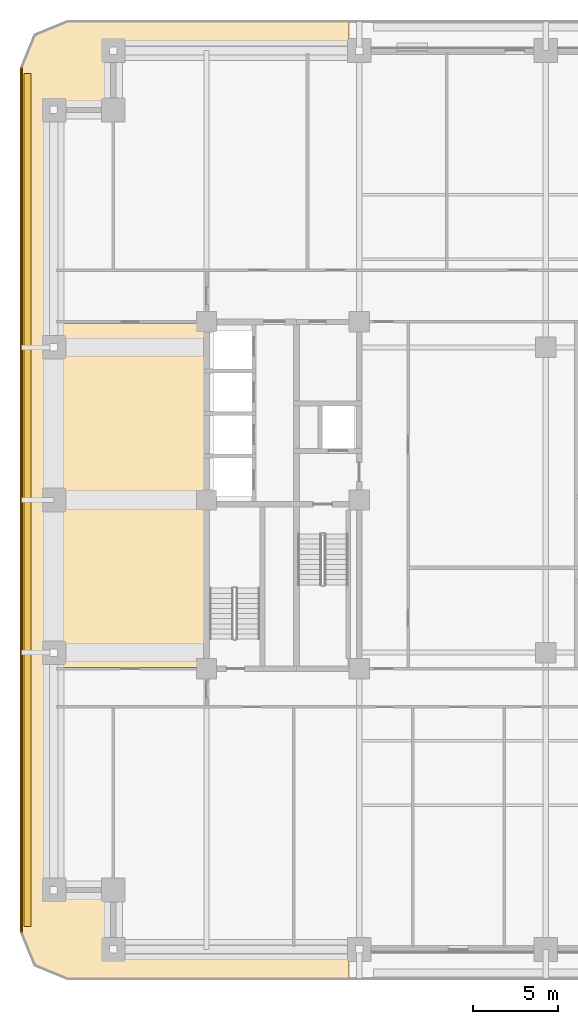
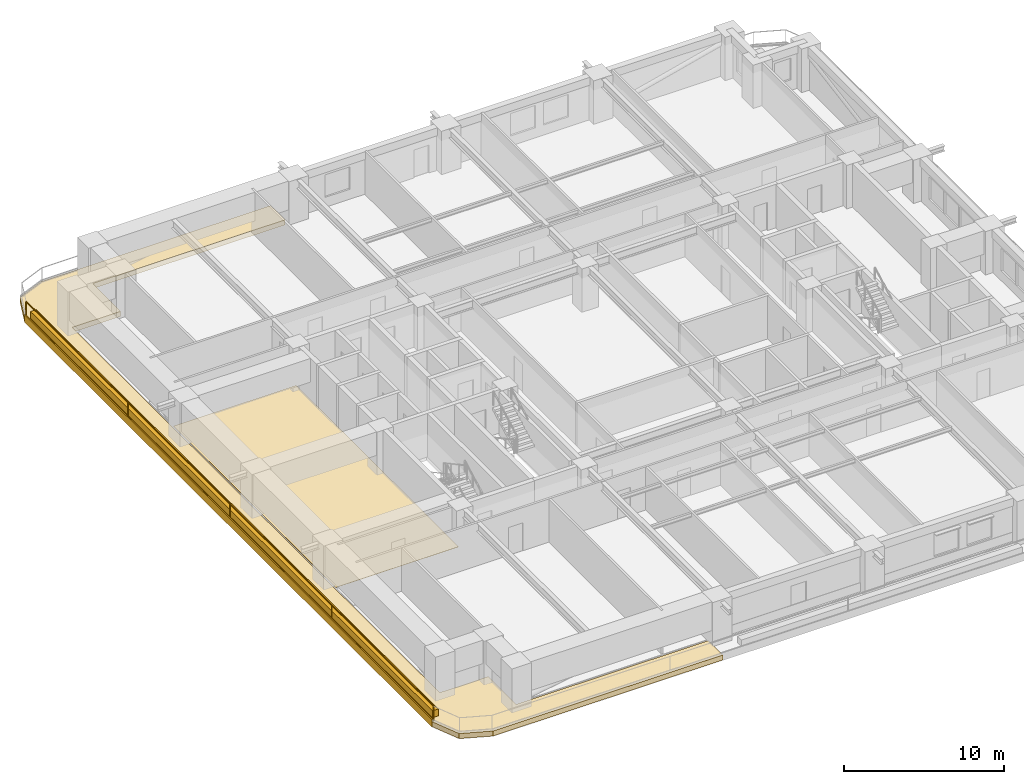
# One storey, part 9 of 14: 4 coverings, 1 railing.
"""IFC4 building model written with IfcOpenShell, lengths in metres."""

from ifc_helpers import new_model, si_unit, direction, frame, frame_2d, origin, origin_2d, place, context, subcontext, project, spatial, polyline, rectangle, outline, extrude, material, layer, layer_set, type_object, element, save


model = new_model("IFC4")

# Units and contexts
model_context = context("Model", 3, precision=1e-05, world=origin(), true_north=direction((0.0, 1.0)))
body_context = subcontext(model_context, "Body", "Model", "MODEL_VIEW")
ifc_project = project(units=[si_unit("LENGTHUNIT", "METRE"), si_unit("AREAUNIT", "SQUARE_METRE"), si_unit("VOLUMEUNIT", "CUBIC_METRE"), si_unit("PLANEANGLEUNIT", "RADIAN"), si_unit("MASSUNIT", "GRAM", prefix="KILO")], contexts=[model_context])

# Site, building, storey
site_placement = place(None, origin())
site = spatial("IfcSite", under=ifc_project, at=site_placement, CompositionType="ELEMENT")
building_placement = place(site_placement, origin())
building = spatial("IfcBuilding", under=site, at=building_placement, Name="Zulmaris Gate Convention Tower", CompositionType="ELEMENT")
storey_placement = place(building_placement, frame((0.0, 0.0, 60.760009765625)))
storey = spatial("IfcBuildingStorey", under=building, at=storey_placement, Name="L14", CompositionType="ELEMENT", Elevation=60.760009765625)

# Coverings
ifc_material_1 = material(Name="White Glazed Architectural Precast Concrete C40/50", Category="concrete")
ifc_layer_1 = layer(ifc_material_1, 0.239990234375, Name="White Glazed Architectural Precast Concrete C40/50")
ifc_layer_set_1 = layer_set([ifc_layer_1], Name="White Glazed Architectural Precast Concrete C40/50")
covering_type_1 = type_object("IfcCoveringType", Name="CLAD-TRAY-DECK", PredefinedType="CLADDING", material=ifc_layer_set_1)
covering_1_placement = place(storey_placement, frame((0.0, 0.0, -0.425048828125)))
element("IfcCovering", 1, at=covering_1_placement, inside=storey, type_object=covering_type_1, Name="L14 West Rounded-Fascia Planter Tray Deck", PredefinedType="CLADDING", context=body_context, shape_type="SweptSolid", body=[
    extrude(outline(polyline([(-31.0, 25.5), (-30.179931640625, 27.47998046875), (-28.199951171875, 28.300048828125), (-11.60205078125, 28.300048828125), (-11.60205078125, 26.5), (-25.5, 26.5), (-25.5, 23.0), (-29.0, 23.0), (-29.0, -23.0), (-25.5, -23.0), (-25.5, -26.5), (-11.60205078125, -26.5), (-11.60205078125, -28.300048828125), (-28.199951171875, -28.300048828125), (-30.179931640625, -27.47998046875), (-31.0, -25.5), (-31.0, 25.5)])), origin(), (0.0, 0.0, 1.0), 0.385009765625),
])
ifc_layer_2 = layer(ifc_material_1, 0.080078125, Name="White Glazed Architectural Precast Concrete C40/50")
ifc_layer_set_2 = layer_set([ifc_layer_2], Name="White Glazed Architectural Precast Concrete C40/50")
covering_type_2 = type_object("IfcCoveringType", Name="CLAD-TRAY-FASCIA", PredefinedType="CLADDING", material=ifc_layer_set_2)
covering_2_placement = place(storey_placement, frame((-30.9599609375, 25.5, -0.465087890625), z_axis=(0.0, 0.0, 1.0), x_axis=(0.0, -1.0, 0.0)))
element("IfcCovering", 2, at=covering_2_placement, inside=storey, type_object=covering_type_2, Name="FSC-L14-TR-11", PredefinedType="CLADDING", context=body_context, shape_type="SweptSolid", body=[
    extrude(rectangle(XDim=51.0, YDim=0.080078125, at=frame_2d((25.5, 0.0))), origin(), (0.0, 0.0, 1.0), 0.5849609375),
])
ifc_material_2 = material(Name="Woven Acoustic Wool Carpet Tile")
ifc_layer_3 = layer(ifc_material_2, 0.02001953125, Name="Woven Acoustic Wool Carpet Tile")
ifc_layer_set_3 = layer_set([ifc_layer_3], Name="Woven Acoustic Wool Carpet Tile")
covering_type_3 = type_object("IfcCoveringType", Name="FLR-CARPET-12", PredefinedType="FLOORING", material=ifc_layer_set_3)
covering_3_placement = place(storey_placement, origin())
element("IfcCovering", 3, at=covering_3_placement, inside=storey, type_object=covering_type_3, Name="FLR-L14-R49", PredefinedType="FLOORING", context=body_context, shape_type="SweptSolid", body=[
    extrude(outline(polyline([(-28.93994140625, -9.889892578125), (-20.06005859375, -9.889892578125), (-20.06005859375, 10.43994140625), (-28.93994140625, 10.43994140625), (-28.93994140625, -9.889892578125)])), origin(), (0.0, 0.0, 1.0), 0.02001953125),
])
ifc_material_3 = material(Name="Botanical Green Glazed Precast Concrete C40/50", Category="concrete")
ifc_layer_4 = layer(ifc_material_3, 0.419921875, Name="Botanical Green Glazed Precast Concrete C40/50")
ifc_layer_set_4 = layer_set([ifc_layer_4], Name="Botanical Green Glazed Precast Concrete C40/50")
covering_type_4 = type_object("IfcCoveringType", Name="PLANTER-BOX-200", PredefinedType="CLADDING", material=ifc_layer_set_4)
covering_4_placement = place(storey_placement, frame((0.0, 0.0, -0.0400390625)))
element("IfcCovering", 4, at=covering_4_placement, inside=storey, type_object=covering_type_4, Name="L14 W Full-Length Balcony Tree Planter Trough", PredefinedType="CLADDING", context=body_context, shape_type="SweptSolid", body=[
    extrude(outline(polyline([(-30.760009765625, -25.14990234375), (-30.340087890625, -25.14990234375), (-30.340087890625, 25.14990234375), (-30.760009765625, 25.14990234375), (-30.760009765625, -25.14990234375)])), origin(), (0.0, 0.0, 1.0), 0.52001953125),
])

# Railing
ifc_material_4 = material(Name="Laminated Glass and Stainless Steel", Category="steel")
railing_type = type_object("IfcRailingType", Name="RL-BALC-1150", PredefinedType="BALUSTRADE", material=ifc_material_4)
railing_placement = place(storey_placement, frame((-30.8798828125, 25.5, -0.0400390625)))
element("IfcRailing", 5, at=railing_placement, inside=storey, type_object=railing_type, Name="RL-L14-BALC-W", PredefinedType="BALUSTRADE", context=body_context, shape_type="SweptSolid", body=[
    extrude(rectangle(XDim=0.048095703125, YDim=0.048095703125, at=origin_2d()), frame((0.0, 0.0, 1.1259765625), z_axis=(0.0, -1.0, 0.0), x_axis=(1.0, 0.0, 0.0)), (0.0, 0.0, 1.0), 51.0),
    extrude(rectangle(XDim=0.048095703125, YDim=0.048095703125, at=origin_2d()), frame((0.0, 0.0, 0.02392578125), z_axis=(0.0, -1.0, 0.0), x_axis=(1.0, 0.0, 0.0)), (0.0, 0.0, 1.0), 51.0),
    extrude(rectangle(XDim=0.0419921875, YDim=0.0419921875, at=origin_2d()), origin(), (0.0, 0.0, 1.0), 1.101806640625),
    extrude(rectangle(XDim=0.0419921875, YDim=0.0419921875, at=origin_2d()), frame((0.0, -12.75, 0.0)), (0.0, 0.0, 1.0), 1.101806640625),
    extrude(rectangle(XDim=0.0419921875, YDim=0.0419921875, at=origin_2d()), frame((0.0, -25.5, 0.0)), (0.0, 0.0, 1.0), 1.101806640625),
    extrude(rectangle(XDim=0.0419921875, YDim=0.0419921875, at=origin_2d()), frame((0.0, -38.25, 0.0)), (0.0, 0.0, 1.0), 1.101806640625),
    extrude(rectangle(XDim=0.0419921875, YDim=0.0419921875, at=origin_2d()), frame((0.0, -51.0, 0.0)), (0.0, 0.0, 1.0), 1.101806640625),
])

save(model, "model.ifc")
